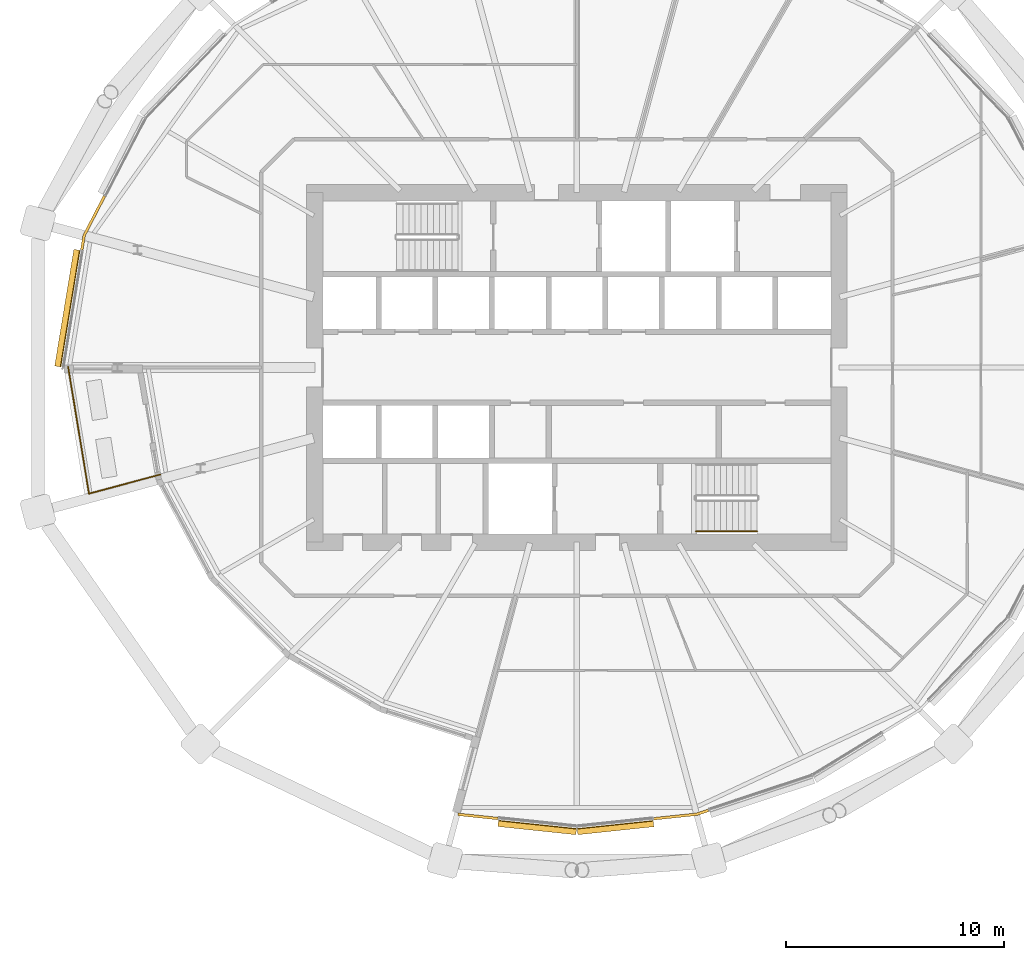
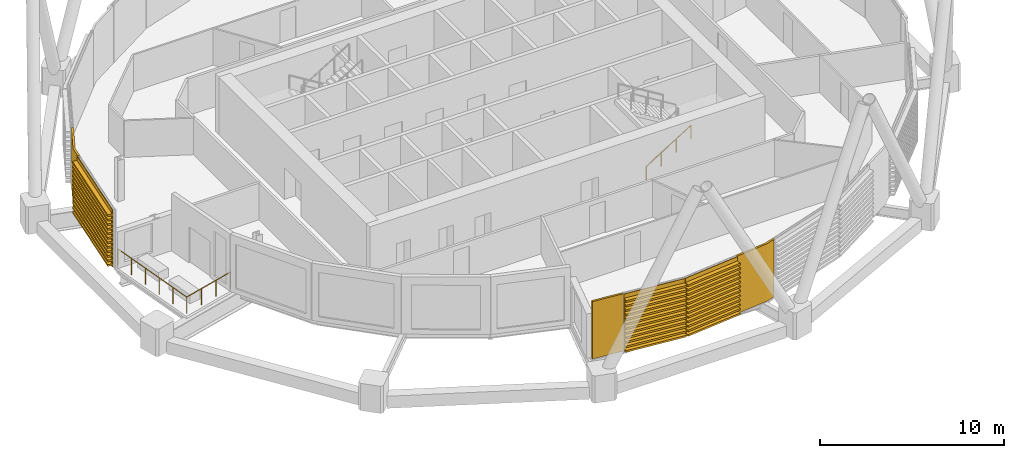
# One storey, part 31 of 38: 6 coverings, 2 railings.
"""IFC4 building model written with IfcOpenShell, lengths in metres."""

from ifc_helpers import new_model, si_unit, direction, frame, origin, origin_2d, place, context, subcontext, project, spatial, polyline, circle, outline, extrude, material, layer, layer_set, material_profile, profile_set, type_object, element, save


model = new_model("IFC4")

# Units and contexts
model_context = context("Model", 3, precision=1e-05, world=origin(), true_north=direction((0.0, 1.0)))
body_context = subcontext(model_context, "Body", "Model", "MODEL_VIEW")
ifc_project = project(units=[si_unit("LENGTHUNIT", "METRE"), si_unit("AREAUNIT", "SQUARE_METRE"), si_unit("VOLUMEUNIT", "CUBIC_METRE"), si_unit("PLANEANGLEUNIT", "RADIAN"), si_unit("MASSUNIT", "GRAM", prefix="KILO")], contexts=[model_context])

# Site, building, storey
site_placement = place(None, origin())
site = spatial("IfcSite", under=ifc_project, at=site_placement, CompositionType="ELEMENT")
building_placement = place(site_placement, origin())
building = spatial("IfcBuilding", under=site, at=building_placement, Name="Rimbun Link Towers", CompositionType="ELEMENT")
storey_placement = place(building_placement, frame((0.0, 0.0, 93.0)))
storey = spatial("IfcBuildingStorey", under=building, at=storey_placement, Name="L22", CompositionType="ELEMENT", Elevation=93.0)

# Railing
ifc_material_1 = material(Name="Stainless steel grade 316", Category="steel")
railing_type_1 = type_object("IfcRailingType", Name="GUARD stainless rail and posts", PredefinedType="GUARDRAIL", material=ifc_material_1)
railing_1_placement = place(storey_placement, frame((-55.046875, 0.032470703125, 0.0)))
element("IfcRailing", 1, at=railing_1_placement, inside=storey, type_object=railing_type_1, Name="GUARD", PredefinedType="GUARDRAIL", context=body_context, shape_type="SweptSolid", body=[
    extrude(circle(Radius=0.02392578125, at=origin_2d()), frame((0.0, 0.0, 1.076171875), z_axis=(0.162240879234, -0.986751182976, 0.0), x_axis=(0.986751182976, 0.162240879234, 0.0)), (0.0, 0.0, 1.0), 5.889892578125),
    extrude(circle(Radius=0.02392578125, at=origin_2d()), frame((0.95556640625, -5.811767578125, 1.076171875), z_axis=(0.965934508009, 0.25878664231, 0.0), x_axis=(-0.25878664231, 0.965934508009, 0.0)), (0.0, 0.0, 1.0), 3.37939453125),
    extrude(circle(Radius=0.02099609375, at=origin_2d()), origin(), (0.0, 0.0, 1.0), 1.052001953125),
    extrude(circle(Radius=0.02099609375, at=origin_2d()), frame((0.191162109375, -1.162353515625, 0.0)), (0.0, 0.0, 1.0), 1.052001953125),
    extrude(circle(Radius=0.02099609375, at=origin_2d()), frame((0.38232421875, -2.32470703125, 0.0)), (0.0, 0.0, 1.0), 1.052001953125),
    extrude(circle(Radius=0.02099609375, at=origin_2d()), frame((0.5732421875, -3.487060546875, 0.0)), (0.0, 0.0, 1.0), 1.052001953125),
    extrude(circle(Radius=0.02099609375, at=origin_2d()), frame((0.764404296875, -4.6494140625, 0.0)), (0.0, 0.0, 1.0), 1.052001953125),
    extrude(circle(Radius=0.02099609375, at=origin_2d()), frame((0.95556640625, -5.811767578125, 0.0)), (0.0, 0.0, 1.0), 1.052001953125),
    extrude(circle(Radius=0.02099609375, at=origin_2d()), frame((2.043701171875, -5.520263671875, 0.0)), (0.0, 0.0, 1.0), 1.052001953125),
    extrude(circle(Radius=0.02099609375, at=origin_2d()), frame((3.131591796875, -5.228759765625, 0.0)), (0.0, 0.0, 1.0), 1.052001953125),
    extrude(circle(Radius=0.02099609375, at=origin_2d()), frame((4.2197265625, -4.937255859375, 0.0)), (0.0, 0.0, 1.0), 1.052001953125),
])

# Coverings
ifc_material_2 = material(Name="Terracotta", Category="masonry")
ifc_layer = layer(ifc_material_2, 0.1201171875)
ifc_layer_set = layer_set([ifc_layer], Name="LINK PIER terracotta cladding 120")
covering_type_1 = type_object("IfcCoveringType", Name="LINK PIER terracotta cladding 120", PredefinedType="CLADDING", material=ifc_layer_set)
covering_1_placement = place(storey_placement, origin())
element("IfcCovering", 2, at=covering_1_placement, inside=storey, type_object=covering_type_1, Name="LINK PIER cladding", PredefinedType="CLADDING", context=body_context, shape_type="SweptSolid", body=[
    extrude(outline(polyline([(-54.361572265625, 5.368408203125), (-54.252685546875, 6.029541015625), (-53.324462890625, 7.82373046875), (-53.43115234375, 7.87890625), (-54.3681640625, 6.06787109375), (-54.47998046875, 5.387939453125), (-54.361572265625, 5.368408203125)])), origin(), (0.0, 0.0, 1.0), 3.800048828125),
])
covering_2_placement = place(storey_placement, origin())
element("IfcCovering", 3, at=covering_2_placement, inside=storey, type_object=covering_type_1, Name="LINK PIER cladding", PredefinedType="CLADDING", context=body_context, shape_type="SweptSolid", body=[
    extrude(outline(polyline([(-35.356689453125, -20.59716796875), (-37.186767578125, -20.404541015625), (-37.19921875, -20.523681640625), (-35.369384765625, -20.716552734375), (-35.356689453125, -20.59716796875)])), origin(), (0.0, 0.0, 1.0), 3.800048828125),
])
covering_3_placement = place(storey_placement, origin())
element("IfcCovering", 4, at=covering_3_placement, inside=storey, type_object=covering_type_1, Name="LINK PIER cladding", PredefinedType="CLADDING", context=body_context, shape_type="SweptSolid", body=[
    extrude(outline(polyline([(-25.742431640625, -20.221923828125), (-26.283447265625, -20.4013671875), (-28.24267578125, -20.607666015625), (-28.22998046875, -20.72705078125), (-26.258056640625, -20.519287109375), (-25.70458984375, -20.3359375), (-25.742431640625, -20.221923828125)])), origin(), (0.0, 0.0, 1.0), 3.800048828125),
])

# Railing
ifc_material_3 = material(Name="Stainless steel grade 316", Category="steel")
railing_type_2 = type_object("IfcRailingType", Name="Stair handrail", PredefinedType="HANDRAIL", material=ifc_material_3)
railing_2_placement = place(storey_placement, frame((-26.300048828125, -7.5, 0.172607421875)))
element("IfcRailing", 5, at=railing_2_placement, inside=storey, type_object=railing_type_2, Name="L22 ST2 stair handrail 1", PredefinedType="HANDRAIL", context=body_context, shape_type="SweptSolid", body=[
    extrude(circle(Radius=0.02392578125, at=origin_2d()), frame((0.0, 0.0, 0.8759765625), z_axis=(0.851089632645, 0.0, 0.525020415988), x_axis=(0.0, 1.0, 0.0)), (0.0, 0.0, 1.0), 3.2900390625),
    extrude(circle(Radius=0.02099609375, at=origin_2d()), origin(), (0.0, 0.0, 1.0), 0.851806640625),
    extrude(circle(Radius=0.02099609375, at=origin_2d()), frame((0.933349609375, 0.0, 0.57568359375)), (0.0, 0.0, 1.0), 0.851806640625),
    extrude(circle(Radius=0.02099609375, at=origin_2d()), frame((1.86669921875, 0.0, 1.151611328125)), (0.0, 0.0, 1.0), 0.851806640625),
    extrude(circle(Radius=0.02099609375, at=origin_2d()), frame((2.800048828125, 0.0, 1.727294921875)), (0.0, 0.0, 1.0), 0.851806640625),
])

# Coverings
ifc_material_4 = material(Name="Terracotta", Category="masonry")
ifc_material_profile = material_profile(ifc_material_4, outline(polyline([(0.123046875, 0.0), (0.1630859375, 0.0), (0.1630859375, 0.10009765625), (0.423095703125, 0.10009765625), (0.423095703125, 0.219970703125), (0.1630859375, 0.219970703125), (0.1630859375, 0.39990234375), (0.423095703125, 0.39990234375), (0.423095703125, 0.52001953125), (0.1630859375, 0.52001953125), (0.1630859375, 0.699951171875), (0.423095703125, 0.699951171875), (0.423095703125, 0.820068359375), (0.1630859375, 0.820068359375), (0.1630859375, 1.0), (0.423095703125, 1.0), (0.423095703125, 1.1201171875), (0.1630859375, 1.1201171875), (0.1630859375, 1.300048828125), (0.423095703125, 1.300048828125), (0.423095703125, 1.419921875), (0.1630859375, 1.419921875), (0.1630859375, 1.60009765625), (0.423095703125, 1.60009765625), (0.423095703125, 1.719970703125), (0.1630859375, 1.719970703125), (0.1630859375, 1.89990234375), (0.423095703125, 1.89990234375), (0.423095703125, 2.02001953125), (0.1630859375, 2.02001953125), (0.1630859375, 2.199951171875), (0.423095703125, 2.199951171875), (0.423095703125, 2.320068359375), (0.1630859375, 2.320068359375), (0.1630859375, 2.5), (0.423095703125, 2.5), (0.423095703125, 2.6201171875), (0.1630859375, 2.6201171875), (0.1630859375, 2.800048828125), (0.423095703125, 2.800048828125), (0.423095703125, 2.919921875), (0.1630859375, 2.919921875), (0.1630859375, 3.10009765625), (0.423095703125, 3.10009765625), (0.423095703125, 3.219970703125), (0.1630859375, 3.219970703125), (0.1630859375, 3.39990234375), (0.423095703125, 3.39990234375), (0.423095703125, 3.52001953125), (0.1630859375, 3.52001953125), (0.1630859375, 3.800048828125), (0.123046875, 3.800048828125), (0.123046875, 0.0)])), Name="BAGUETTE 120X300")
ifc_profile_set = profile_set([ifc_material_profile], Name="Terracotta")
covering_type_2 = type_object("IfcCoveringType", Name="TERRACOTTA BAGUETTE 120X300 H3800", PredefinedType="CLADDING", material=ifc_profile_set)
covering_4_placement = place(storey_placement, frame((-55.244384765625, 0.0, 0.0), z_axis=(0.162261971035, 0.986747714847, 0.0), x_axis=(-0.986747714847, 0.162261971035, 0.0)))
element("IfcCovering", 6, at=covering_4_placement, inside=storey, type_object=covering_type_2, Name="TERRACOTTA BAGUETTE", PredefinedType="CLADDING", context=body_context, shape_type="SweptSolid", body=[
    extrude(outline(polyline([(0.123046875, 0.0), (0.1630859375, 0.0), (0.1630859375, 0.10009765625), (0.423095703125, 0.10009765625), (0.423095703125, 0.219970703125), (0.1630859375, 0.219970703125), (0.1630859375, 0.39990234375), (0.423095703125, 0.39990234375), (0.423095703125, 0.52001953125), (0.1630859375, 0.52001953125), (0.1630859375, 0.699951171875), (0.423095703125, 0.699951171875), (0.423095703125, 0.820068359375), (0.1630859375, 0.820068359375), (0.1630859375, 1.0), (0.423095703125, 1.0), (0.423095703125, 1.1201171875), (0.1630859375, 1.1201171875), (0.1630859375, 1.300048828125), (0.423095703125, 1.300048828125), (0.423095703125, 1.419921875), (0.1630859375, 1.419921875), (0.1630859375, 1.60009765625), (0.423095703125, 1.60009765625), (0.423095703125, 1.719970703125), (0.1630859375, 1.719970703125), (0.1630859375, 1.89990234375), (0.423095703125, 1.89990234375), (0.423095703125, 2.02001953125), (0.1630859375, 2.02001953125), (0.1630859375, 2.199951171875), (0.423095703125, 2.199951171875), (0.423095703125, 2.320068359375), (0.1630859375, 2.320068359375), (0.1630859375, 2.5), (0.423095703125, 2.5), (0.423095703125, 2.6201171875), (0.1630859375, 2.6201171875), (0.1630859375, 2.800048828125), (0.423095703125, 2.800048828125), (0.423095703125, 2.919921875), (0.1630859375, 2.919921875), (0.1630859375, 3.10009765625), (0.423095703125, 3.10009765625), (0.423095703125, 3.219970703125), (0.1630859375, 3.219970703125), (0.1630859375, 3.39990234375), (0.423095703125, 3.39990234375), (0.423095703125, 3.52001953125), (0.1630859375, 3.52001953125), (0.1630859375, 3.800048828125), (0.123046875, 3.800048828125), (0.123046875, 0.0)])), origin(), (0.0, 0.0, 1.0), 5.41064453125),
])
covering_5_placement = place(storey_placement, frame((-31.75, -20.97705078125, 0.0), z_axis=(-0.994499872387, 0.104737786028, 0.0), x_axis=(-0.104737786028, -0.994499872387, 0.0)))
element("IfcCovering", 7, at=covering_5_placement, inside=storey, type_object=covering_type_2, Name="TERRACOTTA BAGUETTE", PredefinedType="CLADDING", context=body_context, shape_type="SweptSolid", body=[
    extrude(outline(polyline([(0.123046875, 0.0), (0.1630859375, 0.0), (0.1630859375, 0.10009765625), (0.423095703125, 0.10009765625), (0.423095703125, 0.219970703125), (0.1630859375, 0.219970703125), (0.1630859375, 0.39990234375), (0.423095703125, 0.39990234375), (0.423095703125, 0.52001953125), (0.1630859375, 0.52001953125), (0.1630859375, 0.699951171875), (0.423095703125, 0.699951171875), (0.423095703125, 0.820068359375), (0.1630859375, 0.820068359375), (0.1630859375, 1.0), (0.423095703125, 1.0), (0.423095703125, 1.1201171875), (0.1630859375, 1.1201171875), (0.1630859375, 1.300048828125), (0.423095703125, 1.300048828125), (0.423095703125, 1.419921875), (0.1630859375, 1.419921875), (0.1630859375, 1.60009765625), (0.423095703125, 1.60009765625), (0.423095703125, 1.719970703125), (0.1630859375, 1.719970703125), (0.1630859375, 1.89990234375), (0.423095703125, 1.89990234375), (0.423095703125, 2.02001953125), (0.1630859375, 2.02001953125), (0.1630859375, 2.199951171875), (0.423095703125, 2.199951171875), (0.423095703125, 2.320068359375), (0.1630859375, 2.320068359375), (0.1630859375, 2.5), (0.423095703125, 2.5), (0.423095703125, 2.6201171875), (0.1630859375, 2.6201171875), (0.1630859375, 2.800048828125), (0.423095703125, 2.800048828125), (0.423095703125, 2.919921875), (0.1630859375, 2.919921875), (0.1630859375, 3.10009765625), (0.423095703125, 3.10009765625), (0.423095703125, 3.219970703125), (0.1630859375, 3.219970703125), (0.1630859375, 3.39990234375), (0.423095703125, 3.39990234375), (0.423095703125, 3.52001953125), (0.1630859375, 3.52001953125), (0.1630859375, 3.800048828125), (0.123046875, 3.800048828125), (0.123046875, 0.0)])), origin(), (0.0, 0.0, 1.0), 3.5966796875),
])
covering_6_placement = place(storey_placement, frame((-28.2724609375, -20.61083984375, 0.0), z_axis=(-0.994500861131, -0.104728397339, 0.0), x_axis=(0.104728397339, -0.994500861131, 0.0)))
element("IfcCovering", 8, at=covering_6_placement, inside=storey, type_object=covering_type_2, Name="TERRACOTTA BAGUETTE", PredefinedType="CLADDING", context=body_context, shape_type="SweptSolid", body=[
    extrude(outline(polyline([(0.123046875, 0.0), (0.1630859375, 0.0), (0.1630859375, 0.10009765625), (0.423095703125, 0.10009765625), (0.423095703125, 0.219970703125), (0.1630859375, 0.219970703125), (0.1630859375, 0.39990234375), (0.423095703125, 0.39990234375), (0.423095703125, 0.52001953125), (0.1630859375, 0.52001953125), (0.1630859375, 0.699951171875), (0.423095703125, 0.699951171875), (0.423095703125, 0.820068359375), (0.1630859375, 0.820068359375), (0.1630859375, 1.0), (0.423095703125, 1.0), (0.423095703125, 1.1201171875), (0.1630859375, 1.1201171875), (0.1630859375, 1.300048828125), (0.423095703125, 1.300048828125), (0.423095703125, 1.419921875), (0.1630859375, 1.419921875), (0.1630859375, 1.60009765625), (0.423095703125, 1.60009765625), (0.423095703125, 1.719970703125), (0.1630859375, 1.719970703125), (0.1630859375, 1.89990234375), (0.423095703125, 1.89990234375), (0.423095703125, 2.02001953125), (0.1630859375, 2.02001953125), (0.1630859375, 2.199951171875), (0.423095703125, 2.199951171875), (0.423095703125, 2.320068359375), (0.1630859375, 2.320068359375), (0.1630859375, 2.5), (0.423095703125, 2.5), (0.423095703125, 2.6201171875), (0.1630859375, 2.6201171875), (0.1630859375, 2.800048828125), (0.423095703125, 2.800048828125), (0.423095703125, 2.919921875), (0.1630859375, 2.919921875), (0.1630859375, 3.10009765625), (0.423095703125, 3.10009765625), (0.423095703125, 3.219970703125), (0.1630859375, 3.219970703125), (0.1630859375, 3.39990234375), (0.423095703125, 3.39990234375), (0.423095703125, 3.52001953125), (0.1630859375, 3.52001953125), (0.1630859375, 3.800048828125), (0.123046875, 3.800048828125), (0.123046875, 0.0)])), origin(), (0.0, 0.0, 1.0), 3.496826171875),
])

save(model, "model.ifc")
